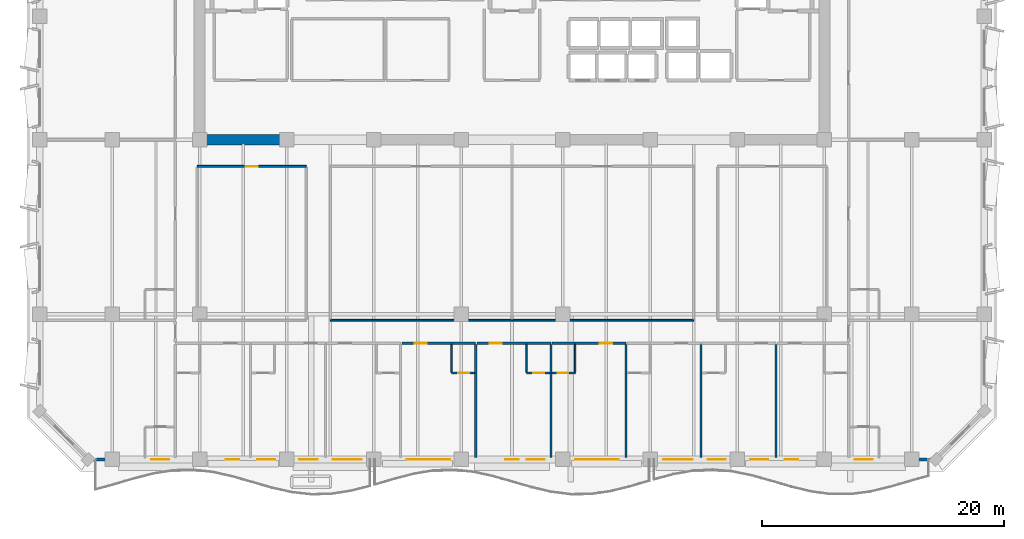
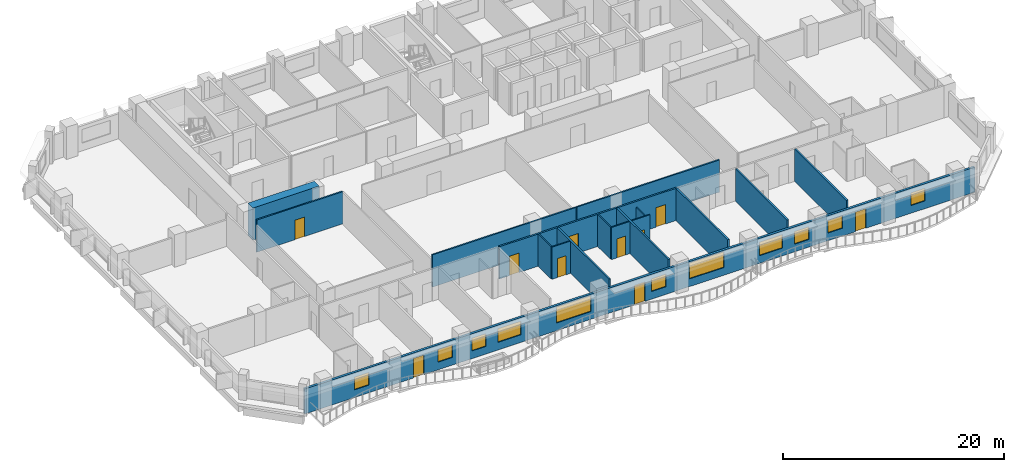
# One storey, part 5 of 15: 19 walls, 11 windows, 10 doors, 21 openings.
"""IFC4 building model written with IfcOpenShell, lengths in metres."""

from ifc_helpers import new_model, si_unit, direction, frame, frame_2d, origin, place, context, subcontext, project, spatial, rectangle, extrude, material, layer, layer_set, type_object, element, fill, save


model = new_model("IFC4")

# Units and contexts
model_context = context("Model", 3, precision=1e-05, world=origin(), true_north=direction((0.0, 1.0)))
body_context = subcontext(model_context, "Body", "Model", "MODEL_VIEW")
ifc_project = project(units=[si_unit("LENGTHUNIT", "METRE"), si_unit("AREAUNIT", "SQUARE_METRE"), si_unit("VOLUMEUNIT", "CUBIC_METRE"), si_unit("PLANEANGLEUNIT", "RADIAN"), si_unit("MASSUNIT", "GRAM", prefix="KILO")], contexts=[model_context])

# Site, building, storey
site_placement = place(None, origin())
site = spatial("IfcSite", under=ifc_project, at=site_placement, CompositionType="ELEMENT")
building_placement = place(site_placement, origin())
building = spatial("IfcBuilding", under=site, at=building_placement, Name="Kaelvorn Grand Hotel", CompositionType="ELEMENT")
storey_placement = place(building_placement, frame((0.0, 0.0, 154.35009765625)))
storey = spatial("IfcBuildingStorey", under=building, at=storey_placement, Name="L37", CompositionType="ELEMENT", Elevation=154.35009765625)

# Wall
ifc_material_1 = material(Name="Concrete C60/75", Category="concrete")
ifc_layer_1 = layer(ifc_material_1, 0.89990234375)
ifc_layer_set_1 = layer_set([ifc_layer_1], Name="Concrete C60/75")
wall_type_1 = type_object("IfcWallType", Name="WL-CORE-900-C60", PredefinedType="SHEAR", material=ifc_layer_set_1)
wall_1_placement = place(storey_placement, frame((16.655029296875, 29.39990234375, 0.0), z_axis=(0.0, 0.0, 1.0), x_axis=(1.0, 0.0, 0.0)))
element("IfcWall", 1, at=wall_1_placement, inside=storey, type_object=wall_type_1, Name="L37 Rear-Core Coupled Shear Pier S1", PredefinedType="SHEAR", context=body_context, shape_type="SweptSolid", body=[
    extrude(rectangle(XDim=6.945068359375, YDim=0.89990234375, at=frame_2d((3.47265625, 0.0))), origin(), (0.0, 0.0, 1.0), 3.559814453125),
])

# Wall, openings, doors, windows
ifc_material_2 = material(Name="Concrete C40/50", Category="concrete")
ifc_layer_2 = layer(ifc_material_2, 0.239990234375)
ifc_layer_set_2 = layer_set([ifc_layer_2], Name="Concrete C40/50")
wall_type_2 = type_object("IfcWallType", Name="WL-EXT-240-C40", PredefinedType="SOLIDWALL", material=ifc_layer_set_2)
wall_2_placement = place(storey_placement, frame((7.0, 3.0, 0.0), z_axis=(0.0, 0.0, 1.0), x_axis=(1.0, 0.0, 0.0)))
wall_2 = element("IfcWall", 2, at=wall_2_placement, inside=storey, type_object=wall_type_2, Name="L37 Exterior Architectural Concrete Wall 01", PredefinedType="SOLIDWALL", context=body_context, shape_type="SweptSolid", body=[
    extrude(rectangle(XDim=70.0, YDim=0.239990234375, at=frame_2d((35.0, 0.0))), origin(), (0.0, 0.0, 1.0), 2.760009765625),
])
opening_1_placement = place(wall_2_placement, frame((11.38330078125, 0.0, 0.0)))
opening_1 = element("IfcOpeningElement", 3, at=opening_1_placement, cuts=wall_2, Name="Opening DE2", PredefinedType="OPENING", context=body_context, shape_type="SweptSolid", body=[
    extrude(rectangle(XDim=1.10009765625, YDim=2.14990234375, at=frame_2d((0.550048828125, 1.074951171875))), frame((0.0, 0.1298828125, 0.0), z_axis=(0.0, -1.0, 0.0), x_axis=(1.0, 0.0, 0.0)), (0.0, 0.0, 1.0), 0.260009765625),
])
opening_2_placement = place(wall_2_placement, frame((34.449951171875, 0.0, 0.0)))
opening_2 = element("IfcOpeningElement", 4, at=opening_2_placement, cuts=wall_2, Name="Opening DE2", PredefinedType="OPENING", context=body_context, shape_type="SweptSolid", body=[
    extrude(rectangle(XDim=1.10009765625, YDim=2.14990234375, at=frame_2d((0.550048828125, 1.074951171875))), frame((0.0, 0.1298828125, 0.0), z_axis=(0.0, -1.0, 0.0), x_axis=(1.0, 0.0, 0.0)), (0.0, 0.0, 1.0), 0.260009765625),
])
opening_3_placement = place(wall_2_placement, frame((57.5166015625, 0.0, 0.0)))
opening_3 = element("IfcOpeningElement", 5, at=opening_3_placement, cuts=wall_2, Name="Opening DE2", PredefinedType="OPENING", context=body_context, shape_type="SweptSolid", body=[
    extrude(rectangle(XDim=1.10009765625, YDim=2.14990234375, at=frame_2d((0.550048828125, 1.074951171875))), frame((0.0, 0.1298828125, 0.0), z_axis=(0.0, -1.0, 0.0), x_axis=(1.0, 0.0, 0.0)), (0.0, 0.0, 1.0), 0.260009765625),
])
opening_4_placement = place(wall_2_placement, frame((5.199951171875, 0.0, 0.85009765625)))
opening_4 = element("IfcOpeningElement", 6, at=opening_4_placement, cuts=wall_2, Name="Opening W10", PredefinedType="OPENING", context=body_context, shape_type="SweptSolid", body=[
    extrude(rectangle(XDim=1.5, YDim=1.39990234375, at=frame_2d((0.75, 0.699951171875))), frame((0.0, 0.1298828125, 0.0), z_axis=(0.0, -1.0, 0.0), x_axis=(1.0, 0.0, 0.0)), (0.0, 0.0, 1.0), 0.260009765625),
])
opening_5_placement = place(wall_2_placement, frame((13.950439453125, 0.0, 0.85009765625)))
opening_5 = element("IfcOpeningElement", 7, at=opening_5_placement, cuts=wall_2, Name="Opening W10", PredefinedType="OPENING", context=body_context, shape_type="SweptSolid", body=[
    extrude(rectangle(XDim=1.5, YDim=1.39990234375, at=frame_2d((0.75, 0.699951171875))), frame((0.0, 0.1298828125, 0.0), z_axis=(0.0, -1.0, 0.0), x_axis=(1.0, 0.0, 0.0)), (0.0, 0.0, 1.0), 0.260009765625),
])
opening_6_placement = place(wall_2_placement, frame((17.451416015625, 0.0, 0.85009765625)))
opening_6 = element("IfcOpeningElement", 8, at=opening_6_placement, cuts=wall_2, Name="Opening W10", PredefinedType="OPENING", context=body_context, shape_type="SweptSolid", body=[
    extrude(rectangle(XDim=1.5, YDim=1.39990234375, at=frame_2d((0.75, 0.699951171875))), frame((0.0, 0.1298828125, 0.0), z_axis=(0.0, -1.0, 0.0), x_axis=(1.0, 0.0, 0.0)), (0.0, 0.0, 1.0), 0.260009765625),
])
opening_7_placement = place(wall_2_placement, frame((20.201416015625, 0.0, 0.85009765625)))
opening_7 = element("IfcOpeningElement", 9, at=opening_7_placement, cuts=wall_2, Name="Opening W6", PredefinedType="OPENING", context=body_context, shape_type="SweptSolid", body=[
    extrude(rectangle(XDim=2.39990234375, YDim=1.5, at=frame_2d((1.199951171875, 0.75))), frame((0.0, 0.1298828125, 0.0), z_axis=(0.0, -1.0, 0.0), x_axis=(1.0, 0.0, 0.0)), (0.0, 0.0, 1.0), 0.260009765625),
])
opening_8_placement = place(wall_2_placement, frame((26.302490234375, 0.0, 0.85009765625)))
opening_8 = element("IfcOpeningElement", 10, at=opening_8_placement, cuts=wall_2, Name="Opening W3", PredefinedType="OPENING", context=body_context, shape_type="SweptSolid", body=[
    extrude(rectangle(XDim=3.60009765625, YDim=1.75, at=frame_2d((1.800048828125, 0.875))), frame((0.0, 0.1298828125, 0.0), z_axis=(0.0, -1.0, 0.0), x_axis=(1.0, 0.0, 0.0)), (0.0, 0.0, 1.0), 0.260009765625),
])
opening_9_placement = place(wall_2_placement, frame((36.214111328125, 0.0, 0.85009765625)))
opening_9 = element("IfcOpeningElement", 11, at=opening_9_placement, cuts=wall_2, Name="Opening W10", PredefinedType="OPENING", context=body_context, shape_type="SweptSolid", body=[
    extrude(rectangle(XDim=1.5, YDim=1.39990234375, at=frame_2d((0.75, 0.699951171875))), frame((0.0, 0.1298828125, 0.0), z_axis=(0.0, -1.0, 0.0), x_axis=(1.0, 0.0, 0.0)), (0.0, 0.0, 1.0), 0.260009765625),
])
opening_10_placement = place(wall_2_placement, frame((40.20458984375, 0.0, 0.85009765625)))
opening_10 = element("IfcOpeningElement", 12, at=opening_10_placement, cuts=wall_2, Name="Opening W3", PredefinedType="OPENING", context=body_context, shape_type="SweptSolid", body=[
    extrude(rectangle(XDim=3.60009765625, YDim=1.75, at=frame_2d((1.800048828125, 0.875))), frame((0.0, 0.1298828125, 0.0), z_axis=(0.0, -1.0, 0.0), x_axis=(1.0, 0.0, 0.0)), (0.0, 0.0, 1.0), 0.260009765625),
])
opening_11_placement = place(wall_2_placement, frame((47.505615234375, 0.0, 0.85009765625)))
opening_11 = element("IfcOpeningElement", 13, at=opening_11_placement, cuts=wall_2, Name="Opening W6", PredefinedType="OPENING", context=body_context, shape_type="SweptSolid", body=[
    extrude(rectangle(XDim=2.39990234375, YDim=1.5, at=frame_2d((1.199951171875, 0.75))), frame((0.0, 0.1298828125, 0.0), z_axis=(0.0, -1.0, 0.0), x_axis=(1.0, 0.0, 0.0)), (0.0, 0.0, 1.0), 0.260009765625),
])
opening_12_placement = place(wall_2_placement, frame((51.155517578125, 0.0, 0.85009765625)))
opening_12 = element("IfcOpeningElement", 14, at=opening_12_placement, cuts=wall_2, Name="Opening W10", PredefinedType="OPENING", context=body_context, shape_type="SweptSolid", body=[
    extrude(rectangle(XDim=1.5, YDim=1.39990234375, at=frame_2d((0.75, 0.699951171875))), frame((0.0, 0.1298828125, 0.0), z_axis=(0.0, -1.0, 0.0), x_axis=(1.0, 0.0, 0.0)), (0.0, 0.0, 1.0), 0.260009765625),
])
opening_13_placement = place(wall_2_placement, frame((54.656005859375, 0.0, 0.85009765625)))
opening_13 = element("IfcOpeningElement", 15, at=opening_13_placement, cuts=wall_2, Name="Opening W10", PredefinedType="OPENING", context=body_context, shape_type="SweptSolid", body=[
    extrude(rectangle(XDim=1.5, YDim=1.39990234375, at=frame_2d((0.75, 0.699951171875))), frame((0.0, 0.1298828125, 0.0), z_axis=(0.0, -1.0, 0.0), x_axis=(1.0, 0.0, 0.0)), (0.0, 0.0, 1.0), 0.260009765625),
])
opening_14_placement = place(wall_2_placement, frame((63.300048828125, 0.0, 0.85009765625)))
opening_14 = element("IfcOpeningElement", 16, at=opening_14_placement, cuts=wall_2, Name="Opening W10", PredefinedType="OPENING", context=body_context, shape_type="SweptSolid", body=[
    extrude(rectangle(XDim=1.5, YDim=1.39990234375, at=frame_2d((0.75, 0.699951171875))), frame((0.0, 0.1298828125, 0.0), z_axis=(0.0, -1.0, 0.0), x_axis=(1.0, 0.0, 0.0)), (0.0, 0.0, 1.0), 0.260009765625),
])
ifc_material_3 = material(Name="Anodised Aluminium", Category="aluminium")
door_type_1 = type_object("IfcDoorType", Name="DR-EXT-BALC-1100x2150", OperationType="NOTDEFINED", PredefinedType="DOOR", material=ifc_material_3)
door_1_placement = place(opening_1_placement, origin())
door_1 = element("IfcDoor", 17, at=door_1_placement, inside=storey, type_object=door_type_1, Name="L37 Scalloped Balcony Glazed Door DE2-1", OperationType="SINGLE_SWING_LEFT", OverallHeight=2.14990234375, OverallWidth=1.10009765625, PredefinedType="DOOR", context=body_context, shape_type="SweptSolid", body=[
    extrude(rectangle(XDim=1.10009765625, YDim=2.14990234375, at=frame_2d((0.550048828125, 1.074951171875))), frame((0.0, 0.02490234375, 0.0), z_axis=(0.0, -1.0, 0.0), x_axis=(1.0, 0.0, 0.0)), (0.0, 0.0, 1.0), 0.050048828125),
])
fill(opening_1, door_1)
door_2_placement = place(opening_2_placement, origin())
door_2 = element("IfcDoor", 18, at=door_2_placement, inside=storey, type_object=door_type_1, Name="L37 Scalloped Balcony Glazed Door DE2-2", OperationType="SINGLE_SWING_RIGHT", OverallHeight=2.14990234375, OverallWidth=1.10009765625, PredefinedType="DOOR", context=body_context, shape_type="SweptSolid", body=[
    extrude(rectangle(XDim=1.10009765625, YDim=2.14990234375, at=frame_2d((0.550048828125, 1.074951171875))), frame((0.0, 0.02490234375, 0.0), z_axis=(0.0, -1.0, 0.0), x_axis=(1.0, 0.0, 0.0)), (0.0, 0.0, 1.0), 0.050048828125),
])
fill(opening_2, door_2)
door_3_placement = place(opening_3_placement, origin())
door_3 = element("IfcDoor", 19, at=door_3_placement, inside=storey, type_object=door_type_1, Name="L37 Scalloped Balcony Glazed Door DE2-3", OperationType="SINGLE_SWING_LEFT", OverallHeight=2.14990234375, OverallWidth=1.10009765625, PredefinedType="DOOR", context=body_context, shape_type="SweptSolid", body=[
    extrude(rectangle(XDim=1.10009765625, YDim=2.14990234375, at=frame_2d((0.550048828125, 1.074951171875))), frame((0.0, 0.02490234375, 0.0), z_axis=(0.0, -1.0, 0.0), x_axis=(1.0, 0.0, 0.0)), (0.0, 0.0, 1.0), 0.050048828125),
])
fill(opening_3, door_3)
ifc_material_4 = material(Name="Laminated Low-E Glass", Category="glass")
window_type_1 = type_object("IfcWindowType", Name="WIN-COR-1500x1400", PartitioningType="SINGLE_PANEL", PredefinedType="WINDOW", material=ifc_material_4)
window_1_placement = place(opening_4_placement, origin())
window_1 = element("IfcWindow", 20, at=window_1_placement, inside=storey, type_object=window_type_1, Name="L37 South Guestroom Ribbon Window SR01", OverallHeight=1.39990234375, OverallWidth=1.5, PartitioningType="SINGLE_PANEL", PredefinedType="WINDOW", context=body_context, shape_type="SweptSolid", body=[
    extrude(rectangle(XDim=1.5, YDim=1.39990234375, at=frame_2d((0.75, 0.699951171875))), frame((0.0, 0.030029296875, 0.0), z_axis=(0.0, -1.0, 0.0), x_axis=(1.0, 0.0, 0.0)), (0.0, 0.0, 1.0), 0.06005859375),
])
fill(opening_4, window_1)
window_2_placement = place(opening_5_placement, origin())
window_2 = element("IfcWindow", 21, at=window_2_placement, inside=storey, type_object=window_type_1, Name="L37 South Guestroom Ribbon Window SR02", OverallHeight=1.39990234375, OverallWidth=1.5, PartitioningType="SINGLE_PANEL", PredefinedType="WINDOW", context=body_context, shape_type="SweptSolid", body=[
    extrude(rectangle(XDim=1.5, YDim=1.39990234375, at=frame_2d((0.75, 0.699951171875))), frame((0.0, 0.030029296875, 0.0), z_axis=(0.0, -1.0, 0.0), x_axis=(1.0, 0.0, 0.0)), (0.0, 0.0, 1.0), 0.06005859375),
])
fill(opening_5, window_2)
window_3_placement = place(opening_6_placement, origin())
window_3 = element("IfcWindow", 22, at=window_3_placement, inside=storey, type_object=window_type_1, Name="L37 South Guestroom Ribbon Window SR03", OverallHeight=1.39990234375, OverallWidth=1.5, PartitioningType="SINGLE_PANEL", PredefinedType="WINDOW", context=body_context, shape_type="SweptSolid", body=[
    extrude(rectangle(XDim=1.5, YDim=1.39990234375, at=frame_2d((0.75, 0.699951171875))), frame((0.0, 0.030029296875, 0.0), z_axis=(0.0, -1.0, 0.0), x_axis=(1.0, 0.0, 0.0)), (0.0, 0.0, 1.0), 0.06005859375),
])
fill(opening_6, window_3)
window_4_placement = place(opening_9_placement, origin())
window_4 = element("IfcWindow", 23, at=window_4_placement, inside=storey, type_object=window_type_1, Name="L37 South Guestroom Ribbon Window SR06", OverallHeight=1.39990234375, OverallWidth=1.5, PartitioningType="SINGLE_PANEL", PredefinedType="WINDOW", context=body_context, shape_type="SweptSolid", body=[
    extrude(rectangle(XDim=1.5, YDim=1.39990234375, at=frame_2d((0.75, 0.699951171875))), frame((0.0, 0.030029296875, 0.0), z_axis=(0.0, -1.0, 0.0), x_axis=(1.0, 0.0, 0.0)), (0.0, 0.0, 1.0), 0.06005859375),
])
fill(opening_9, window_4)
window_5_placement = place(opening_12_placement, origin())
window_5 = element("IfcWindow", 24, at=window_5_placement, inside=storey, type_object=window_type_1, Name="L37 South Guestroom Ribbon Window SR09", OverallHeight=1.39990234375, OverallWidth=1.5, PartitioningType="SINGLE_PANEL", PredefinedType="WINDOW", context=body_context, shape_type="SweptSolid", body=[
    extrude(rectangle(XDim=1.5, YDim=1.39990234375, at=frame_2d((0.75, 0.699951171875))), frame((0.0, 0.030029296875, 0.0), z_axis=(0.0, -1.0, 0.0), x_axis=(1.0, 0.0, 0.0)), (0.0, 0.0, 1.0), 0.06005859375),
])
fill(opening_12, window_5)
window_6_placement = place(opening_13_placement, origin())
window_6 = element("IfcWindow", 25, at=window_6_placement, inside=storey, type_object=window_type_1, Name="L37 South Guestroom Ribbon Window SR10", OverallHeight=1.39990234375, OverallWidth=1.5, PartitioningType="SINGLE_PANEL", PredefinedType="WINDOW", context=body_context, shape_type="SweptSolid", body=[
    extrude(rectangle(XDim=1.5, YDim=1.39990234375, at=frame_2d((0.75, 0.699951171875))), frame((0.0, 0.030029296875, 0.0), z_axis=(0.0, -1.0, 0.0), x_axis=(1.0, 0.0, 0.0)), (0.0, 0.0, 1.0), 0.06005859375),
])
fill(opening_13, window_6)
window_7_placement = place(opening_14_placement, origin())
window_7 = element("IfcWindow", 26, at=window_7_placement, inside=storey, type_object=window_type_1, Name="L37 South Guestroom Ribbon Window SR11", OverallHeight=1.39990234375, OverallWidth=1.5, PartitioningType="SINGLE_PANEL", PredefinedType="WINDOW", context=body_context, shape_type="SweptSolid", body=[
    extrude(rectangle(XDim=1.5, YDim=1.39990234375, at=frame_2d((0.75, 0.699951171875))), frame((0.0, 0.030029296875, 0.0), z_axis=(0.0, -1.0, 0.0), x_axis=(1.0, 0.0, 0.0)), (0.0, 0.0, 1.0), 0.06005859375),
])
fill(opening_14, window_7)
window_type_2 = type_object("IfcWindowType", Name="WIN-NTH-2400x1500", PartitioningType="SINGLE_PANEL", PredefinedType="WINDOW", material=ifc_material_4)
window_8_placement = place(opening_7_placement, origin())
window_8 = element("IfcWindow", 27, at=window_8_placement, inside=storey, type_object=window_type_2, Name="L37 South Guestroom Ribbon Window SR04", OverallHeight=1.5, OverallWidth=2.39990234375, PartitioningType="SINGLE_PANEL", PredefinedType="WINDOW", context=body_context, shape_type="SweptSolid", body=[
    extrude(rectangle(XDim=2.39990234375, YDim=1.5, at=frame_2d((1.199951171875, 0.75))), frame((0.0, 0.030029296875, 0.0), z_axis=(0.0, -1.0, 0.0), x_axis=(1.0, 0.0, 0.0)), (0.0, 0.0, 1.0), 0.06005859375),
])
fill(opening_7, window_8)
window_9_placement = place(opening_11_placement, origin())
window_9 = element("IfcWindow", 28, at=window_9_placement, inside=storey, type_object=window_type_2, Name="L37 South Guestroom Ribbon Window SR08", OverallHeight=1.5, OverallWidth=2.39990234375, PartitioningType="SINGLE_PANEL", PredefinedType="WINDOW", context=body_context, shape_type="SweptSolid", body=[
    extrude(rectangle(XDim=2.39990234375, YDim=1.5, at=frame_2d((1.199951171875, 0.75))), frame((0.0, 0.030029296875, 0.0), z_axis=(0.0, -1.0, 0.0), x_axis=(1.0, 0.0, 0.0)), (0.0, 0.0, 1.0), 0.06005859375),
])
fill(opening_11, window_9)
window_type_3 = type_object("IfcWindowType", Name="WIN-RIB-3600x1750", PartitioningType="SINGLE_PANEL", PredefinedType="WINDOW", material=ifc_material_4)
window_10_placement = place(opening_8_placement, origin())
window_10 = element("IfcWindow", 29, at=window_10_placement, inside=storey, type_object=window_type_3, Name="L37 South Guestroom Ribbon Window SR05", OverallHeight=1.75, OverallWidth=3.60009765625, PartitioningType="SINGLE_PANEL", PredefinedType="WINDOW", context=body_context, shape_type="SweptSolid", body=[
    extrude(rectangle(XDim=3.60009765625, YDim=1.75, at=frame_2d((1.800048828125, 0.875))), frame((0.0, 0.030029296875, 0.0), z_axis=(0.0, -1.0, 0.0), x_axis=(1.0, 0.0, 0.0)), (0.0, 0.0, 1.0), 0.06005859375),
])
fill(opening_8, window_10)
window_11_placement = place(opening_10_placement, origin())
window_11 = element("IfcWindow", 30, at=window_11_placement, inside=storey, type_object=window_type_3, Name="L37 South Guestroom Ribbon Window SR07", OverallHeight=1.75, OverallWidth=3.60009765625, PartitioningType="SINGLE_PANEL", PredefinedType="WINDOW", context=body_context, shape_type="SweptSolid", body=[
    extrude(rectangle(XDim=3.60009765625, YDim=1.75, at=frame_2d((1.800048828125, 0.875))), frame((0.0, 0.030029296875, 0.0), z_axis=(0.0, -1.0, 0.0), x_axis=(1.0, 0.0, 0.0)), (0.0, 0.0, 1.0), 0.06005859375),
])
fill(opening_10, window_11)

# Wall, opening, door
ifc_material_5 = material(Name="Moisture-Resistant Tile & Stud Board")
ifc_layer_3 = layer(ifc_material_5, 0.125)
ifc_layer_set_3 = layer_set([ifc_layer_3], Name="Moisture-Resistant Tile & Stud Board")
wall_type_3 = type_object("IfcWallType", Name="WL-PART-125-WET", PredefinedType="PARTITIONING", material=ifc_layer_set_3)
wall_3_placement = place(storey_placement, frame((37.006103515625, 10.139892578125, 0.0), z_axis=(0.0, 0.0, 1.0), x_axis=(1.0, 0.0, 0.0)))
wall_3 = element("IfcWall", 31, at=wall_3_placement, inside=storey, type_object=wall_type_3, Name="L37 En-suite Bathroom L37-04 S Partition", PredefinedType="PARTITIONING", context=body_context, shape_type="SweptSolid", body=[
    extrude(rectangle(XDim=1.905029296875, YDim=0.125, at=frame_2d((0.95263671875, 0.0))), origin(), (0.0, 0.0, 1.0), 3.559814453125),
])
opening_15_placement = place(wall_3_placement, frame((0.550048828125, 0.0, 0.0)))
opening_15 = element("IfcOpeningElement", 32, at=opening_15_placement, cuts=wall_3, Name="Opening DI4", PredefinedType="OPENING", context=body_context, shape_type="SweptSolid", body=[
    extrude(rectangle(XDim=0.89990234375, YDim=2.10009765625, at=frame_2d((0.449951171875, 1.050048828125))), frame((0.0, 0.072509765625, 0.0), z_axis=(0.0, -1.0, 0.0), x_axis=(1.0, 0.0, 0.0)), (0.0, 0.0, 1.0), 0.14501953125),
])
ifc_material_6 = material(Name="Timber Veneer Leaf", Category="wood")
door_type_2 = type_object("IfcDoorType", Name="DR-INT-BATH-900x2100", OperationType="NOTDEFINED", PredefinedType="DOOR", material=ifc_material_6)
door_4_placement = place(opening_15_placement, origin())
door_4 = element("IfcDoor", 33, at=door_4_placement, inside=storey, type_object=door_type_2, Name="L37 En-suite Bathroom L37-04 Door", OperationType="SINGLE_SWING_RIGHT", OverallHeight=2.10009765625, OverallWidth=0.89990234375, PredefinedType="DOOR", context=body_context, shape_type="SweptSolid", body=[
    extrude(rectangle(XDim=0.89990234375, YDim=2.10009765625, at=frame_2d((0.449951171875, 1.050048828125))), frame((0.0, 0.02490234375, 0.0), z_axis=(0.0, -1.0, 0.0), x_axis=(1.0, 0.0, 0.0)), (0.0, 0.0, 1.0), 0.050048828125),
])
fill(opening_15, door_4)

# Wall
wall_4_placement = place(storey_placement, frame((37.006103515625, 10.20751953125, 0.0), z_axis=(0.0, 0.0, 1.0), x_axis=(0.0, 1.0, 0.0)))
element("IfcWall", 34, at=wall_4_placement, inside=storey, type_object=wall_type_3, Name="L37 En-suite Bathroom L37-04 W Partition", PredefinedType="PARTITIONING", context=body_context, shape_type="SweptSolid", body=[
    extrude(rectangle(XDim=2.29736328125, YDim=0.125, at=frame_2d((1.148681640625, 0.0))), origin(), (0.0, 0.0, 1.0), 3.559814453125),
])

# Wall, opening, door
wall_5_placement = place(storey_placement, frame((43.207763671875, 10.139892578125, 0.0), z_axis=(0.0, 0.0, 1.0), x_axis=(1.0, 0.0, 0.0)))
wall_5 = element("IfcWall", 35, at=wall_5_placement, inside=storey, type_object=wall_type_3, Name="L37 En-suite Bathroom L37-05 S Partition", PredefinedType="PARTITIONING", context=body_context, shape_type="SweptSolid", body=[
    extrude(rectangle(XDim=1.905029296875, YDim=0.125, at=frame_2d((0.95263671875, 0.0))), origin(), (0.0, 0.0, 1.0), 3.559814453125),
])
opening_16_placement = place(wall_5_placement, frame((0.550048828125, 0.0, 0.0)))
opening_16 = element("IfcOpeningElement", 36, at=opening_16_placement, cuts=wall_5, Name="Opening DI4", PredefinedType="OPENING", context=body_context, shape_type="SweptSolid", body=[
    extrude(rectangle(XDim=0.89990234375, YDim=2.10009765625, at=frame_2d((0.449951171875, 1.050048828125))), frame((0.0, 0.072509765625, 0.0), z_axis=(0.0, -1.0, 0.0), x_axis=(1.0, 0.0, 0.0)), (0.0, 0.0, 1.0), 0.14501953125),
])
door_5_placement = place(opening_16_placement, origin())
door_5 = element("IfcDoor", 37, at=door_5_placement, inside=storey, type_object=door_type_2, Name="L37 En-suite Bathroom L37-05 Door", OperationType="SINGLE_SWING_RIGHT", OverallHeight=2.10009765625, OverallWidth=0.89990234375, PredefinedType="DOOR", context=body_context, shape_type="SweptSolid", body=[
    extrude(rectangle(XDim=0.89990234375, YDim=2.10009765625, at=frame_2d((0.449951171875, 1.050048828125))), frame((0.0, 0.02490234375, 0.0), z_axis=(0.0, -1.0, 0.0), x_axis=(1.0, 0.0, 0.0)), (0.0, 0.0, 1.0), 0.050048828125),
])
fill(opening_16, door_5)

# Wall
wall_6_placement = place(storey_placement, frame((43.207763671875, 10.20751953125, 0.0), z_axis=(0.0, 0.0, 1.0), x_axis=(0.0, 1.0, 0.0)))
element("IfcWall", 38, at=wall_6_placement, inside=storey, type_object=wall_type_3, Name="L37 En-suite Bathroom L37-05 W Partition", PredefinedType="PARTITIONING", context=body_context, shape_type="SweptSolid", body=[
    extrude(rectangle(XDim=2.29736328125, YDim=0.125, at=frame_2d((1.148681640625, 0.0))), origin(), (0.0, 0.0, 1.0), 3.559814453125),
])

# Wall, opening, door
wall_7_placement = place(storey_placement, frame((45.302734375, 10.139892578125, 0.0), z_axis=(0.0, 0.0, 1.0), x_axis=(1.0, 0.0, 0.0)))
wall_7 = element("IfcWall", 39, at=wall_7_placement, inside=storey, type_object=wall_type_3, Name="L37 En-suite Bathroom L37-06 S Partition", PredefinedType="PARTITIONING", context=body_context, shape_type="SweptSolid", body=[
    extrude(rectangle(XDim=1.905029296875, YDim=0.125, at=frame_2d((0.95263671875, 0.0))), origin(), (0.0, 0.0, 1.0), 3.559814453125),
])
opening_17_placement = place(wall_7_placement, frame((0.455078125, 0.0, 0.0)))
opening_17 = element("IfcOpeningElement", 40, at=opening_17_placement, cuts=wall_7, Name="Opening DI4", PredefinedType="OPENING", context=body_context, shape_type="SweptSolid", body=[
    extrude(rectangle(XDim=0.89990234375, YDim=2.10009765625, at=frame_2d((0.449951171875, 1.050048828125))), frame((0.0, 0.072509765625, 0.0), z_axis=(0.0, -1.0, 0.0), x_axis=(1.0, 0.0, 0.0)), (0.0, 0.0, 1.0), 0.14501953125),
])
door_6_placement = place(opening_17_placement, origin())
door_6 = element("IfcDoor", 41, at=door_6_placement, inside=storey, type_object=door_type_2, Name="L37 En-suite Bathroom L37-06 Door", OperationType="SINGLE_SWING_RIGHT", OverallHeight=2.10009765625, OverallWidth=0.89990234375, PredefinedType="DOOR", context=body_context, shape_type="SweptSolid", body=[
    extrude(rectangle(XDim=0.89990234375, YDim=2.10009765625, at=frame_2d((0.449951171875, 1.050048828125))), frame((0.0, 0.02490234375, 0.0), z_axis=(0.0, -1.0, 0.0), x_axis=(1.0, 0.0, 0.0)), (0.0, 0.0, 1.0), 0.050048828125),
])
fill(opening_17, door_6)

# Wall
wall_8_placement = place(storey_placement, frame((47.207763671875, 10.20751953125, 0.0), z_axis=(0.0, 0.0, 1.0), x_axis=(0.0, 1.0, 0.0)))
element("IfcWall", 42, at=wall_8_placement, inside=storey, type_object=wall_type_3, Name="L37 En-suite Bathroom L37-06 E Partition", PredefinedType="PARTITIONING", context=body_context, shape_type="SweptSolid", body=[
    extrude(rectangle(XDim=2.29736328125, YDim=0.125, at=frame_2d((1.148681640625, 0.0))), origin(), (0.0, 0.0, 1.0), 2.929931640625),
])

# Wall, opening, door
ifc_material_7 = material(Name="Acoustic Gypsum & Stud Partition")
ifc_layer_4 = layer(ifc_material_7, 0.14990234375)
ifc_layer_set_4 = layer_set([ifc_layer_4], Name="Acoustic Gypsum & Stud Partition")
wall_type_4 = type_object("IfcWallType", Name="WL-PART-150-EI60", PredefinedType="PARTITIONING", material=ifc_layer_set_4)
wall_9_placement = place(storey_placement, frame((16.0, 27.199951171875, 0.0), z_axis=(0.0, 0.0, 1.0), x_axis=(1.0, 0.0, 0.0)))
wall_9 = element("IfcWall", 43, at=wall_9_placement, inside=storey, type_object=wall_type_4, Name="L37 Reading Library Lounge N Partition", PredefinedType="PARTITIONING", context=body_context, shape_type="SweptSolid", body=[
    extrude(rectangle(XDim=9.0, YDim=0.14990234375, at=frame_2d((4.5, 0.0))), origin(), (0.0, 0.0, 1.0), 3.559814453125),
])
opening_18_placement = place(wall_9_placement, frame((4.0, 0.0, 0.0)))
opening_18 = element("IfcOpeningElement", 44, at=opening_18_placement, cuts=wall_9, Name="Opening DI3", PredefinedType="OPENING", context=body_context, shape_type="SweptSolid", body=[
    extrude(rectangle(XDim=1.0, YDim=2.14990234375, at=frame_2d((0.5, 1.074951171875))), frame((0.0, 0.0849609375, 0.0), z_axis=(0.0, -1.0, 0.0), x_axis=(1.0, 0.0, 0.0)), (0.0, 0.0, 1.0), 0.169921875),
])
ifc_material_8 = material(Name="Timber Veneer Fire Leaf", Category="wood")
door_type_3 = type_object("IfcDoorType", Name="DR-INT-GUEST-1000x2150", OperationType="NOTDEFINED", PredefinedType="DOOR", material=ifc_material_8)
door_7_placement = place(opening_18_placement, origin())
door_7 = element("IfcDoor", 45, at=door_7_placement, inside=storey, type_object=door_type_3, Name="L37 Reading Library Lounge Door", OperationType="SINGLE_SWING_LEFT", OverallHeight=2.14990234375, OverallWidth=1.0, PredefinedType="DOOR", context=body_context, shape_type="SweptSolid", body=[
    extrude(rectangle(XDim=1.0, YDim=2.14990234375, at=frame_2d((0.5, 1.074951171875))), frame((0.0, 0.02490234375, 0.0), z_axis=(0.0, -1.0, 0.0), x_axis=(1.0, 0.0, 0.0)), (0.0, 0.0, 1.0), 0.050048828125),
])
fill(opening_18, door_7)

# Walls
wall_10_placement = place(storey_placement, frame((27.0, 14.5, 0.0), z_axis=(0.0, 0.0, 1.0), x_axis=(1.0, 0.0, 0.0)))
element("IfcWall", 46, at=wall_10_placement, inside=storey, type_object=wall_type_4, Name="L37 Chef Finishing Kitchen S Partition", PredefinedType="PARTITIONING", context=body_context, shape_type="SweptSolid", body=[
    extrude(rectangle(XDim=15.0, YDim=0.14990234375, at=frame_2d((7.5, 0.0))), origin(), (0.0, 0.0, 1.0), 3.559814453125),
])
wall_11_placement = place(storey_placement, frame((42.080078125, 14.5, 0.0), z_axis=(0.0, 0.0, 1.0), x_axis=(1.0, 0.0, 0.0)))
element("IfcWall", 47, at=wall_11_placement, inside=storey, type_object=wall_type_4, Name="L37 Conference Seminar Room S Partition", PredefinedType="PARTITIONING", context=body_context, shape_type="SweptSolid", body=[
    extrude(rectangle(XDim=14.919921875, YDim=0.14990234375, at=frame_2d((7.4599609375, 0.0))), origin(), (0.0, 0.0, 1.0), 3.559814453125),
])

# Wall, opening, door
ifc_layer_5 = layer(ifc_material_7, 0.179931640625)
ifc_layer_set_5 = layer_set([ifc_layer_5], Name="Acoustic Gypsum & Stud Partition")
wall_type_5 = type_object("IfcWallType", Name="WL-PART-180-EI60", PredefinedType="PARTITIONING", material=ifc_layer_set_5)
wall_12_placement = place(storey_placement, frame((32.899658203125, 12.60009765625, 0.0), z_axis=(0.0, 0.0, 1.0), x_axis=(1.0, 0.0, 0.0)))
wall_12 = element("IfcWall", 48, at=wall_12_placement, inside=storey, type_object=wall_type_5, Name="L37 Superior King Guest Room L37-04 N Partition", PredefinedType="PARTITIONING", context=body_context, shape_type="SweptSolid", body=[
    extrude(rectangle(XDim=6.1064453125, YDim=0.179931640625, at=frame_2d((3.05322265625, 0.0))), origin(), (0.0, 0.0, 1.0), 3.559814453125),
])
opening_19_placement = place(wall_12_placement, frame((1.055908203125, 0.0, 0.0)))
opening_19 = element("IfcOpeningElement", 49, at=opening_19_placement, cuts=wall_12, Name="Opening DI3", PredefinedType="OPENING", context=body_context, shape_type="SweptSolid", body=[
    extrude(rectangle(XDim=1.0, YDim=2.14990234375, at=frame_2d((0.5, 1.074951171875))), frame((0.0, 0.10009765625, 0.0), z_axis=(0.0, -1.0, 0.0), x_axis=(1.0, 0.0, 0.0)), (0.0, 0.0, 1.0), 0.199951171875),
])
door_8_placement = place(opening_19_placement, origin())
door_8 = element("IfcDoor", 50, at=door_8_placement, inside=storey, type_object=door_type_3, Name="L37 Superior King Guest Room L37-04 Door", OperationType="SINGLE_SWING_LEFT", OverallHeight=2.14990234375, OverallWidth=1.0, PredefinedType="DOOR", context=body_context, shape_type="SweptSolid", body=[
    extrude(rectangle(XDim=1.0, YDim=2.14990234375, at=frame_2d((0.5, 1.074951171875))), frame((0.0, 0.02490234375, 0.0), z_axis=(0.0, -1.0, 0.0), x_axis=(1.0, 0.0, 0.0)), (0.0, 0.0, 1.0), 0.050048828125),
])
fill(opening_19, door_8)

# Wall
wall_13_placement = place(storey_placement, frame((39.006103515625, 3.14990234375, 0.0), z_axis=(0.0, 0.0, 1.0), x_axis=(0.0, 1.0, 0.0)))
element("IfcWall", 51, at=wall_13_placement, inside=storey, type_object=wall_type_5, Name="L37 Superior King Guest Room L37-04 E Partition", PredefinedType="PARTITIONING", context=body_context, shape_type="SweptSolid", body=[
    extrude(rectangle(XDim=9.35498046875, YDim=0.179931640625, at=frame_2d((4.677490234375, 0.0))), origin(), (0.0, 0.0, 1.0), 3.559814453125),
])

# Wall, opening, door
wall_14_placement = place(storey_placement, frame((39.101318359375, 12.60009765625, 0.0), z_axis=(0.0, 0.0, 1.0), x_axis=(1.0, 0.0, 0.0)))
wall_14 = element("IfcWall", 52, at=wall_14_placement, inside=storey, type_object=wall_type_5, Name="L37 Superior King Guest Room L37-05 N Partition", PredefinedType="PARTITIONING", context=body_context, shape_type="SweptSolid", body=[
    extrude(rectangle(XDim=6.1064453125, YDim=0.179931640625, at=frame_2d((3.05322265625, 0.0))), origin(), (0.0, 0.0, 1.0), 3.559814453125),
])
opening_20_placement = place(wall_14_placement, frame((1.055908203125, 0.0, 0.0)))
opening_20 = element("IfcOpeningElement", 53, at=opening_20_placement, cuts=wall_14, Name="Opening DI3", PredefinedType="OPENING", context=body_context, shape_type="SweptSolid", body=[
    extrude(rectangle(XDim=1.0, YDim=2.14990234375, at=frame_2d((0.5, 1.074951171875))), frame((0.0, 0.10009765625, 0.0), z_axis=(0.0, -1.0, 0.0), x_axis=(1.0, 0.0, 0.0)), (0.0, 0.0, 1.0), 0.199951171875),
])
door_9_placement = place(opening_20_placement, origin())
door_9 = element("IfcDoor", 54, at=door_9_placement, inside=storey, type_object=door_type_3, Name="L37 Superior King Guest Room L37-05 Door", OperationType="SINGLE_SWING_LEFT", OverallHeight=2.14990234375, OverallWidth=1.0, PredefinedType="DOOR", context=body_context, shape_type="SweptSolid", body=[
    extrude(rectangle(XDim=1.0, YDim=2.14990234375, at=frame_2d((0.5, 1.074951171875))), frame((0.0, 0.02490234375, 0.0), z_axis=(0.0, -1.0, 0.0), x_axis=(1.0, 0.0, 0.0)), (0.0, 0.0, 1.0), 0.050048828125),
])
fill(opening_20, door_9)

# Wall
wall_15_placement = place(storey_placement, frame((45.207763671875, 3.14990234375, 0.0), z_axis=(0.0, 0.0, 1.0), x_axis=(0.0, 1.0, 0.0)))
element("IfcWall", 55, at=wall_15_placement, inside=storey, type_object=wall_type_5, Name="L37 Superior King Guest Room L37-05 E Partition", PredefinedType="PARTITIONING", context=body_context, shape_type="SweptSolid", body=[
    extrude(rectangle(XDim=9.35498046875, YDim=0.179931640625, at=frame_2d((4.677490234375, 0.0))), origin(), (0.0, 0.0, 1.0), 3.559814453125),
])

# Wall, opening, door
wall_16_placement = place(storey_placement, frame((45.302734375, 12.60009765625, 0.0), z_axis=(0.0, 0.0, 1.0), x_axis=(1.0, 0.0, 0.0)))
wall_16 = element("IfcWall", 56, at=wall_16_placement, inside=storey, type_object=wall_type_5, Name="L37 Superior King Guest Room L37-06 N Partition", PredefinedType="PARTITIONING", context=body_context, shape_type="SweptSolid", body=[
    extrude(rectangle(XDim=6.1064453125, YDim=0.179931640625, at=frame_2d((3.05322265625, 0.0))), origin(), (0.0, 0.0, 1.0), 3.559814453125),
])
opening_21_placement = place(wall_16_placement, frame((3.955810546875, 0.0, 0.0)))
opening_21 = element("IfcOpeningElement", 57, at=opening_21_placement, cuts=wall_16, Name="Opening DI3", PredefinedType="OPENING", context=body_context, shape_type="SweptSolid", body=[
    extrude(rectangle(XDim=1.0, YDim=2.14990234375, at=frame_2d((0.5, 1.074951171875))), frame((0.0, 0.10009765625, 0.0), z_axis=(0.0, -1.0, 0.0), x_axis=(1.0, 0.0, 0.0)), (0.0, 0.0, 1.0), 0.199951171875),
])
door_10_placement = place(opening_21_placement, origin())
door_10 = element("IfcDoor", 58, at=door_10_placement, inside=storey, type_object=door_type_3, Name="L37 Superior King Guest Room L37-06 Door", OperationType="SINGLE_SWING_LEFT", OverallHeight=2.14990234375, OverallWidth=1.0, PredefinedType="DOOR", context=body_context, shape_type="SweptSolid", body=[
    extrude(rectangle(XDim=1.0, YDim=2.14990234375, at=frame_2d((0.5, 1.074951171875))), frame((0.0, 0.02490234375, 0.0), z_axis=(0.0, -1.0, 0.0), x_axis=(1.0, 0.0, 0.0)), (0.0, 0.0, 1.0), 0.050048828125),
])
fill(opening_21, door_10)

# Walls
for number, where, z_axis, x_axis, name in (
    (59, (51.4091796875, 3.14990234375, 0.0), (0.0, 0.0, 1.0), (0.0, 1.0, 0.0), "L37 Superior King Guest Room L37-06 E Partition"),
    (60, (57.61083984375, 3.14990234375, 0.0), (0.0, 0.0, 1.0), (0.0, 1.0, 0.0), "L37 Superior King Guest Room L37-07 E Partition"),
    (61, (63.812255859375, 3.14990234375, 0.0), (0.0, 0.0, 1.0), (0.0, 1.0, 0.0), "L37 Superior King Guest Room L37-08 E Partition"),
):
    element("IfcWall", number, at=place(storey_placement, frame(where, z_axis=z_axis, x_axis=x_axis)), inside=storey, type_object=wall_type_5, Name=name, PredefinedType="PARTITIONING", context=body_context, shape_type="SweptSolid", body=[
        extrude(rectangle(XDim=9.35498046875, YDim=0.179931640625, at=frame_2d((4.677490234375, 0.0))), origin(), (0.0, 0.0, 1.0), 3.559814453125),
    ])

save(model, "model.ifc")
